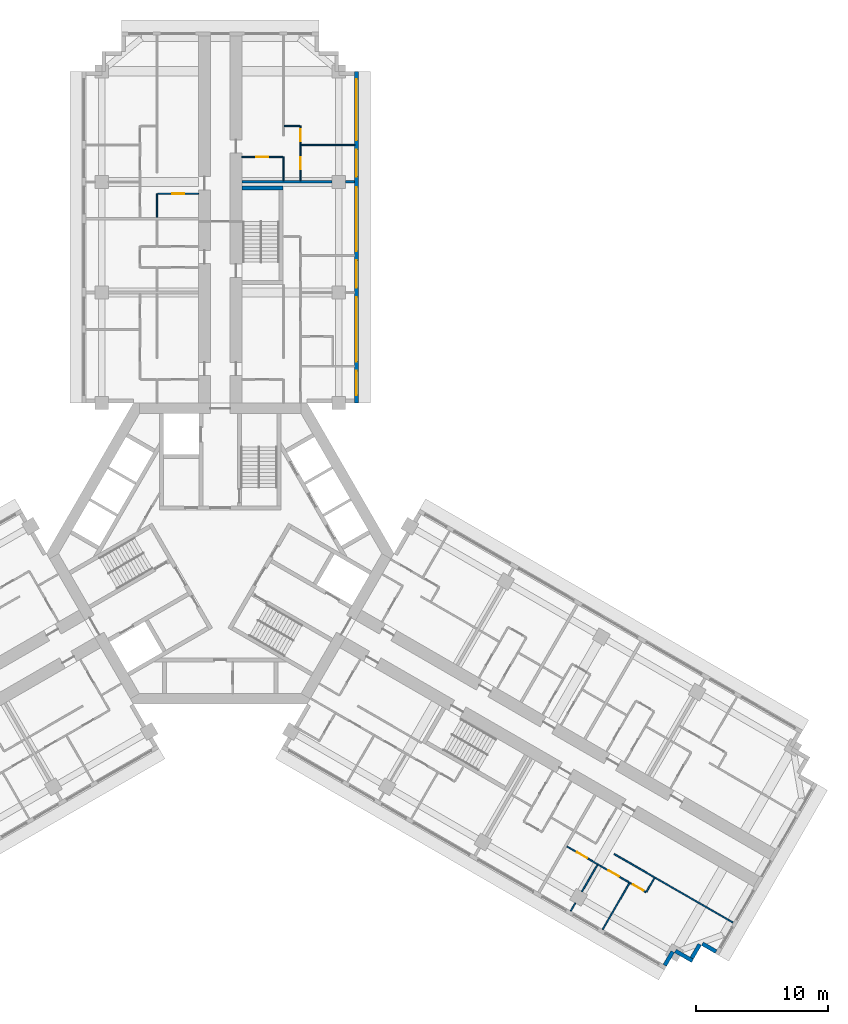
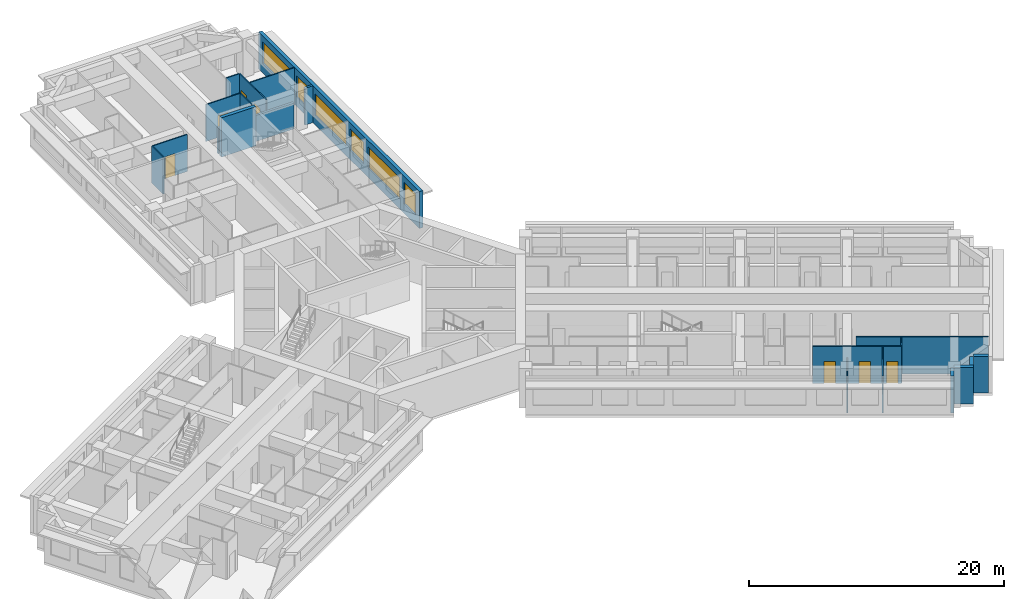
# One storey, part 10 of 14: 21 walls, 7 doors, 6 windows, 13 openings.
"""IFC4 building model written with IfcOpenShell, lengths in metres."""

from ifc_helpers import new_model, si_unit, direction, frame, frame_2d, origin, place, context, subcontext, project, spatial, rectangle, extrude, material, layer, layer_set, type_object, element, fill, save


model = new_model("IFC4")

# Units and contexts
model_context = context("Model", 3, precision=1e-05, world=origin(), true_north=direction((0.0, 1.0)))
body_context = subcontext(model_context, "Body", "Model", "MODEL_VIEW")
ifc_project = project(units=[si_unit("LENGTHUNIT", "METRE"), si_unit("AREAUNIT", "SQUARE_METRE"), si_unit("VOLUMEUNIT", "CUBIC_METRE"), si_unit("PLANEANGLEUNIT", "RADIAN"), si_unit("MASSUNIT", "GRAM", prefix="KILO")], contexts=[model_context])

# Site, building, storey
site_placement = place(None, origin())
site = spatial("IfcSite", under=ifc_project, at=site_placement, CompositionType="ELEMENT")
building_placement = place(site_placement, origin())
building = spatial("IfcBuilding", under=site, at=building_placement, Name="Impinga Residences", CompositionType="ELEMENT")
storey_placement = place(building_placement, frame((0.0, 0.0, 143.5)))
storey = spatial("IfcBuildingStorey", under=building, at=storey_placement, Name="L35", CompositionType="ELEMENT", Elevation=143.5)

# Walls
ifc_material_1 = material(Name="Terracotta rainscreen on blockwork", Category="masonry")
ifc_layer_1 = layer(ifc_material_1, 0.300048828125)
ifc_layer_set_1 = layer_set([ifc_layer_1], Name="EW1 external wall, terracotta rainscreen on blockwork 300")
wall_type_1 = type_object("IfcWallType", Name="EW1 external wall, terracotta rainscreen on blockwork 300", PredefinedType="SOLIDWALL", material=ifc_layer_set_1)
wall_1_placement = place(storey_placement, frame((37.66162109375, -30.23095703125, 0.0), z_axis=(0.0, 0.0, 1.0), x_axis=(-0.866059708757, 0.499940577336, 0.0)))
element("IfcWall", 1, at=wall_1_placement, inside=storey, type_object=wall_type_1, Name="External wall EW1 L35", PredefinedType="SOLIDWALL", context=body_context, shape_type="SweptSolid", body=[
    extrude(rectangle(XDim=1.195068359375, YDim=0.300048828125, at=frame_2d((0.59765625, 0.0))), origin(), (0.0, 0.0, 1.0), 3.530029296875),
])
wall_2_placement = place(storey_placement, frame((36.41748046875, -29.68603515625, 0.0), z_axis=(0.0, 0.0, 1.0), x_axis=(-0.499969057507, -0.866043267704, 0.0)))
element("IfcWall", 2, at=wall_2_placement, inside=storey, type_object=wall_type_1, Name="External wall EW1 L35", PredefinedType="SOLIDWALL", context=body_context, shape_type="SweptSolid", body=[
    extrude(rectangle(XDim=1.19970703125, YDim=0.300048828125, at=frame_2d((0.599853515625, 0.0))), origin(), (0.0, 0.0, 1.0), 3.530029296875),
])
wall_3_placement = place(storey_placement, frame((35.87255859375, -30.93017578125, 0.0), z_axis=(0.0, 0.0, 1.0), x_axis=(-0.866031096941, 0.499990139034, 0.0)))
element("IfcWall", 3, at=wall_3_placement, inside=storey, type_object=wall_type_1, Name="External wall EW1 L35", PredefinedType="SOLIDWALL", context=body_context, shape_type="SweptSolid", body=[
    extrude(rectangle(XDim=1.5, YDim=0.300048828125, at=frame_2d((0.75, 0.0))), origin(), (0.0, 0.0, 1.0), 3.530029296875),
])
wall_4_placement = place(storey_placement, frame((34.365966796875, -30.2392578125, 0.0), z_axis=(0.0, 0.0, 1.0), x_axis=(-0.499940577336, -0.866059708757, 0.0)))
element("IfcWall", 4, at=wall_4_placement, inside=storey, type_object=wall_type_1, Name="External wall EW1 L35", PredefinedType="SOLIDWALL", context=body_context, shape_type="SweptSolid", body=[
    extrude(rectangle(XDim=1.195068359375, YDim=0.300048828125, at=frame_2d((0.59765625, 0.0))), origin(), (0.0, 0.0, 1.0), 3.530029296875),
])

# Wall, openings, windows
wall_5_placement = place(storey_placement, frame((10.35009765625, 36.631591796875, 0.0), z_axis=(0.0, 0.0, 1.0), x_axis=(0.0, -1.0, 0.0)))
wall_5 = element("IfcWall", 5, at=wall_5_placement, inside=storey, type_object=wall_type_1, Name="External wall EW1 L35", PredefinedType="SOLIDWALL", context=body_context, shape_type="SweptSolid", body=[
    extrude(rectangle(XDim=25.199951171875, YDim=0.300048828125, at=frame_2d((12.60009765625, 0.0))), origin(), (0.0, 0.0, 1.0), 3.530029296875),
])
opening_1_placement = place(wall_5_placement, frame((0.60009765625, 0.0, 0.89990234375)))
opening_1 = element("IfcOpeningElement", 6, at=opening_1_placement, cuts=wall_5, Name="Opening W10", PredefinedType="OPENING", context=body_context, shape_type="SweptSolid", body=[
    extrude(rectangle(XDim=4.64990234375, YDim=2.050048828125, at=frame_2d((2.324951171875, 1.02490234375))), frame((0.0, 0.159912109375, 0.0), z_axis=(0.0, -1.0, 0.0), x_axis=(1.0, 0.0, 0.0)), (0.0, 0.0, 1.0), 0.320068359375),
])
opening_2_placement = place(wall_5_placement, frame((5.949951171875, 0.0, 0.89990234375)))
opening_2 = element("IfcOpeningElement", 7, at=opening_2_placement, cuts=wall_5, Name="Opening W14", PredefinedType="OPENING", context=body_context, shape_type="SweptSolid", body=[
    extrude(rectangle(XDim=2.050048828125, YDim=2.050048828125, at=frame_2d((1.02490234375, 1.02490234375))), frame((0.0, 0.159912109375, 0.0), z_axis=(0.0, -1.0, 0.0), x_axis=(1.0, 0.0, 0.0)), (0.0, 0.0, 1.0), 0.320068359375),
])
opening_3_placement = place(wall_5_placement, frame((8.800048828125, 0.0, 0.89990234375)))
opening_3 = element("IfcOpeningElement", 8, at=opening_3_placement, cuts=wall_5, Name="Opening W6", PredefinedType="OPENING", context=body_context, shape_type="SweptSolid", body=[
    extrude(rectangle(XDim=4.85009765625, YDim=2.050048828125, at=frame_2d((2.425048828125, 1.02490234375))), frame((0.0, 0.159912109375, 0.0), z_axis=(0.0, -1.0, 0.0), x_axis=(1.0, 0.0, 0.0)), (0.0, 0.0, 1.0), 0.320068359375),
])
opening_4_placement = place(wall_5_placement, frame((14.35009765625, 0.0, 0.89990234375)))
opening_4 = element("IfcOpeningElement", 9, at=opening_4_placement, cuts=wall_5, Name="Opening W9", PredefinedType="OPENING", context=body_context, shape_type="SweptSolid", body=[
    extrude(rectangle(XDim=2.10009765625, YDim=2.050048828125, at=frame_2d((1.050048828125, 1.02490234375))), frame((0.0, 0.159912109375, 0.0), z_axis=(0.0, -1.0, 0.0), x_axis=(1.0, 0.0, 0.0)), (0.0, 0.0, 1.0), 0.320068359375),
])
opening_5_placement = place(wall_5_placement, frame((17.14990234375, 0.0, 0.89990234375)))
opening_5 = element("IfcOpeningElement", 10, at=opening_5_placement, cuts=wall_5, Name="Opening W16", PredefinedType="OPENING", context=body_context, shape_type="SweptSolid", body=[
    extrude(rectangle(XDim=4.89990234375, YDim=2.050048828125, at=frame_2d((2.449951171875, 1.02490234375))), frame((0.0, 0.159912109375, 0.0), z_axis=(0.0, -1.0, 0.0), x_axis=(1.0, 0.0, 0.0)), (0.0, 0.0, 1.0), 0.320068359375),
])
opening_6_placement = place(wall_5_placement, frame((22.75, 0.0, 0.89990234375)))
opening_6 = element("IfcOpeningElement", 11, at=opening_6_placement, cuts=wall_5, Name="Opening W15", PredefinedType="OPENING", context=body_context, shape_type="SweptSolid", body=[
    extrude(rectangle(XDim=1.85009765625, YDim=2.050048828125, at=frame_2d((0.925048828125, 1.02490234375))), frame((0.0, 0.159912109375, 0.0), z_axis=(0.0, -1.0, 0.0), x_axis=(1.0, 0.0, 0.0)), (0.0, 0.0, 1.0), 0.320068359375),
])
ifc_material_2 = material(Name="Aluminium window, clear double glazing", Category="aluminium")
window_type_1 = type_object("IfcWindowType", Name="W10 ribbon window 4650x2050", PartitioningType="SINGLE_PANEL", PredefinedType="WINDOW", material=ifc_material_2)
window_1_placement = place(opening_1_placement, origin())
window_1 = element("IfcWindow", 12, at=window_1_placement, inside=storey, type_object=window_type_1, Name="Window L35", OverallHeight=2.050048828125, OverallWidth=4.64990234375, PartitioningType="SINGLE_PANEL", PredefinedType="WINDOW", context=body_context, shape_type="SweptSolid", body=[
    extrude(rectangle(XDim=4.64990234375, YDim=2.050048828125, at=frame_2d((2.324951171875, 1.02490234375))), frame((0.0, 0.030029296875, 0.0), z_axis=(0.0, -1.0, 0.0), x_axis=(1.0, 0.0, 0.0)), (0.0, 0.0, 1.0), 0.06005859375),
])
fill(opening_1, window_1)
window_type_2 = type_object("IfcWindowType", Name="W14 ribbon window 2050x2050", PartitioningType="SINGLE_PANEL", PredefinedType="WINDOW", material=ifc_material_2)
window_2_placement = place(opening_2_placement, origin())
window_2 = element("IfcWindow", 13, at=window_2_placement, inside=storey, type_object=window_type_2, Name="Window L35", OverallHeight=2.050048828125, OverallWidth=2.050048828125, PartitioningType="SINGLE_PANEL", PredefinedType="WINDOW", context=body_context, shape_type="SweptSolid", body=[
    extrude(rectangle(XDim=2.050048828125, YDim=2.050048828125, at=frame_2d((1.02490234375, 1.02490234375))), frame((0.0, 0.030029296875, 0.0), z_axis=(0.0, -1.0, 0.0), x_axis=(1.0, 0.0, 0.0)), (0.0, 0.0, 1.0), 0.06005859375),
])
fill(opening_2, window_2)
window_type_3 = type_object("IfcWindowType", Name="W15 ribbon window 1850x2050", PartitioningType="SINGLE_PANEL", PredefinedType="WINDOW", material=ifc_material_2)
window_3_placement = place(opening_6_placement, origin())
window_3 = element("IfcWindow", 14, at=window_3_placement, inside=storey, type_object=window_type_3, Name="Window L35", OverallHeight=2.050048828125, OverallWidth=1.85009765625, PartitioningType="SINGLE_PANEL", PredefinedType="WINDOW", context=body_context, shape_type="SweptSolid", body=[
    extrude(rectangle(XDim=1.85009765625, YDim=2.050048828125, at=frame_2d((0.925048828125, 1.02490234375))), frame((0.0, 0.030029296875, 0.0), z_axis=(0.0, -1.0, 0.0), x_axis=(1.0, 0.0, 0.0)), (0.0, 0.0, 1.0), 0.06005859375),
])
fill(opening_6, window_3)
window_type_4 = type_object("IfcWindowType", Name="W16 ribbon window 4900x2050", PartitioningType="SINGLE_PANEL", PredefinedType="WINDOW", material=ifc_material_2)
window_4_placement = place(opening_5_placement, origin())
window_4 = element("IfcWindow", 15, at=window_4_placement, inside=storey, type_object=window_type_4, Name="Window L35", OverallHeight=2.050048828125, OverallWidth=4.89990234375, PartitioningType="SINGLE_PANEL", PredefinedType="WINDOW", context=body_context, shape_type="SweptSolid", body=[
    extrude(rectangle(XDim=4.89990234375, YDim=2.050048828125, at=frame_2d((2.449951171875, 1.02490234375))), frame((0.0, 0.030029296875, 0.0), z_axis=(0.0, -1.0, 0.0), x_axis=(1.0, 0.0, 0.0)), (0.0, 0.0, 1.0), 0.06005859375),
])
fill(opening_5, window_4)
window_type_5 = type_object("IfcWindowType", Name="W6 ribbon window 4850x2050", PartitioningType="SINGLE_PANEL", PredefinedType="WINDOW", material=ifc_material_2)
window_5_placement = place(opening_3_placement, origin())
window_5 = element("IfcWindow", 16, at=window_5_placement, inside=storey, type_object=window_type_5, Name="Window L35", OverallHeight=2.050048828125, OverallWidth=4.85009765625, PartitioningType="SINGLE_PANEL", PredefinedType="WINDOW", context=body_context, shape_type="SweptSolid", body=[
    extrude(rectangle(XDim=4.85009765625, YDim=2.050048828125, at=frame_2d((2.425048828125, 1.02490234375))), frame((0.0, 0.030029296875, 0.0), z_axis=(0.0, -1.0, 0.0), x_axis=(1.0, 0.0, 0.0)), (0.0, 0.0, 1.0), 0.06005859375),
])
fill(opening_3, window_5)
window_type_6 = type_object("IfcWindowType", Name="W9 ribbon window 2100x2050", PartitioningType="SINGLE_PANEL", PredefinedType="WINDOW", material=ifc_material_2)
window_6_placement = place(opening_4_placement, origin())
window_6 = element("IfcWindow", 17, at=window_6_placement, inside=storey, type_object=window_type_6, Name="Window L35", OverallHeight=2.050048828125, OverallWidth=2.10009765625, PartitioningType="SINGLE_PANEL", PredefinedType="WINDOW", context=body_context, shape_type="SweptSolid", body=[
    extrude(rectangle(XDim=2.10009765625, YDim=2.050048828125, at=frame_2d((1.050048828125, 1.02490234375))), frame((0.0, 0.030029296875, 0.0), z_axis=(0.0, -1.0, 0.0), x_axis=(1.0, 0.0, 0.0)), (0.0, 0.0, 1.0), 0.06005859375),
])
fill(opening_4, window_6)

# Wall
ifc_material_3 = material(Name="Gypsum board on steel studs", Category="steel")
ifc_layer_2 = layer(ifc_material_3, 0.10009765625)
ifc_layer_set_2 = layer_set([ifc_layer_2], Name="Gypsum board on steel studs")
wall_type_2 = type_object("IfcWallType", Name="IP1 partition 100", PredefinedType="PARTITIONING", material=ifc_layer_set_2)
wall_6_placement = place(storey_placement, frame((-4.800048828125, 25.531494140625, 0.0), z_axis=(0.0, 0.0, 1.0), x_axis=(0.0, 1.0, 0.0)))
element("IfcWall", 18, at=wall_6_placement, inside=storey, type_object=wall_type_2, Name="Partition L35-NA3:DIV0", PredefinedType="PARTITIONING", context=body_context, shape_type="SweptSolid", body=[
    extrude(rectangle(XDim=1.800048828125, YDim=0.10009765625, at=frame_2d((0.89990234375, 0.0))), origin(), (0.0, 0.0, 1.0), 3.530029296875),
])

# Wall, opening, door
wall_7_placement = place(storey_placement, frame((-1.64990234375, 27.33154296875, 0.0), z_axis=(0.0, 0.0, 1.0), x_axis=(-1.0, 0.0, 0.0)))
wall_7 = element("IfcWall", 19, at=wall_7_placement, inside=storey, type_object=wall_type_2, Name="Partition L35-NA3:IB1", PredefinedType="PARTITIONING", context=body_context, shape_type="SweptSolid", body=[
    extrude(rectangle(XDim=3.10009765625, YDim=0.10009765625, at=frame_2d((1.550048828125, 0.0))), origin(), (0.0, 0.0, 1.0), 3.530029296875),
])
opening_7_placement = place(wall_7_placement, frame((1.10009765625, 0.0, 0.0)))
opening_7 = element("IfcOpeningElement", 20, at=opening_7_placement, cuts=wall_7, Name="Opening D2", PredefinedType="OPENING", context=body_context, shape_type="SweptSolid", body=[
    extrude(rectangle(XDim=0.89990234375, YDim=2.10009765625, at=frame_2d((0.449951171875, 1.050048828125))), frame((0.0, 0.06005859375, 0.0), z_axis=(0.0, -1.0, 0.0), x_axis=(1.0, 0.0, 0.0)), (0.0, 0.0, 1.0), 0.1201171875),
])
ifc_material_4 = material(Name="Timber door set", Category="wood")
door_type = type_object("IfcDoorType", Name="D2 internal door 900x2100", OperationType="SINGLE_SWING_LEFT", PredefinedType="DOOR", material=ifc_material_4)
door_1_placement = place(opening_7_placement, origin())
door_1 = element("IfcDoor", 21, at=door_1_placement, inside=storey, type_object=door_type, Name="Apartment L35-NA3 bathroom door", OperationType="SINGLE_SWING_LEFT", OverallHeight=2.10009765625, OverallWidth=0.89990234375, PredefinedType="DOOR", context=body_context, shape_type="SweptSolid", body=[
    extrude(rectangle(XDim=0.89990234375, YDim=2.10009765625, at=frame_2d((0.449951171875, 1.050048828125))), frame((0.0, 0.02490234375, 0.0), z_axis=(0.0, -1.0, 0.0), x_axis=(1.0, 0.0, 0.0)), (0.0, 0.0, 1.0), 0.050048828125),
])
fill(opening_7, door_1)

# Wall
wall_8_placement = place(storey_placement, frame((4.800048828125, 28.33154296875, 0.0), z_axis=(0.0, 0.0, 1.0), x_axis=(0.0, 1.0, 0.0)))
element("IfcWall", 22, at=wall_8_placement, inside=storey, type_object=wall_type_2, Name="Partition L35-NF2:DIV0", PredefinedType="PARTITIONING", context=body_context, shape_type="SweptSolid", body=[
    extrude(rectangle(XDim=1.800048828125, YDim=0.10009765625, at=frame_2d((0.89990234375, 0.0))), origin(), (0.0, 0.0, 1.0), 3.530029296875),
])

# Wall, openings, doors
wall_9_placement = place(storey_placement, frame((6.10009765625, 28.33154296875, 0.0), z_axis=(0.0, 0.0, 1.0), x_axis=(0.0, 1.0, 0.0)))
wall_9 = element("IfcWall", 23, at=wall_9_placement, inside=storey, type_object=wall_type_2, Name="Partition L35-NF2:STRIP", PredefinedType="PARTITIONING", context=body_context, shape_type="SweptSolid", body=[
    extrude(rectangle(XDim=4.14990234375, YDim=0.10009765625, at=frame_2d((2.074951171875, 0.0))), origin(), (0.0, 0.0, 1.0), 3.530029296875),
])
opening_8_placement = place(wall_9_placement, frame((0.875, 0.0, 0.0)))
opening_8 = element("IfcOpeningElement", 24, at=opening_8_placement, cuts=wall_9, Name="Opening D2", PredefinedType="OPENING", context=body_context, shape_type="SweptSolid", body=[
    extrude(rectangle(XDim=0.89990234375, YDim=2.10009765625, at=frame_2d((0.449951171875, 1.050048828125))), frame((0.0, 0.06005859375, 0.0), z_axis=(0.0, -1.0, 0.0), x_axis=(1.0, 0.0, 0.0)), (0.0, 0.0, 1.0), 0.1201171875),
])
opening_9_placement = place(wall_9_placement, frame((3.0, 0.0, 0.0)))
opening_9 = element("IfcOpeningElement", 25, at=opening_9_placement, cuts=wall_9, Name="Opening D2", PredefinedType="OPENING", context=body_context, shape_type="SweptSolid", body=[
    extrude(rectangle(XDim=0.89990234375, YDim=2.10009765625, at=frame_2d((0.449951171875, 1.050048828125))), frame((0.0, 0.06005859375, 0.0), z_axis=(0.0, -1.0, 0.0), x_axis=(1.0, 0.0, 0.0)), (0.0, 0.0, 1.0), 0.1201171875),
])
door_2_placement = place(opening_8_placement, origin())
door_2 = element("IfcDoor", 26, at=door_2_placement, inside=storey, type_object=door_type, Name="Apartment L35-NF2 room door", OperationType="SINGLE_SWING_LEFT", OverallHeight=2.10009765625, OverallWidth=0.89990234375, PredefinedType="DOOR", context=body_context, shape_type="SweptSolid", body=[
    extrude(rectangle(XDim=0.89990234375, YDim=2.10009765625, at=frame_2d((0.449951171875, 1.050048828125))), frame((0.0, 0.02490234375, 0.0), z_axis=(0.0, -1.0, 0.0), x_axis=(1.0, 0.0, 0.0)), (0.0, 0.0, 1.0), 0.050048828125),
])
fill(opening_8, door_2)
door_3_placement = place(opening_9_placement, origin())
door_3 = element("IfcDoor", 27, at=door_3_placement, inside=storey, type_object=door_type, Name="Apartment L35-NF2 room door", OperationType="SINGLE_SWING_RIGHT", OverallHeight=2.10009765625, OverallWidth=0.89990234375, PredefinedType="DOOR", context=body_context, shape_type="SweptSolid", body=[
    extrude(rectangle(XDim=0.89990234375, YDim=2.10009765625, at=frame_2d((0.449951171875, 1.050048828125))), frame((0.0, 0.02490234375, 0.0), z_axis=(0.0, -1.0, 0.0), x_axis=(1.0, 0.0, 0.0)), (0.0, 0.0, 1.0), 0.050048828125),
])
fill(opening_9, door_3)

# Wall
wall_10_placement = place(storey_placement, frame((4.85009765625, 32.4814453125, 0.0), z_axis=(0.0, 0.0, 1.0), x_axis=(1.0, 0.0, 0.0)))
element("IfcWall", 28, at=wall_10_placement, inside=storey, type_object=wall_type_2, Name="Partition L35-NF2:SE1", PredefinedType="PARTITIONING", context=body_context, shape_type="SweptSolid", body=[
    extrude(rectangle(XDim=1.199951171875, YDim=0.10009765625, at=frame_2d((0.60009765625, 0.0))), origin(), (0.0, 0.0, 1.0), 3.530029296875),
])

# Wall, opening, door
wall_11_placement = place(storey_placement, frame((1.64990234375, 30.131591796875, 0.0), z_axis=(0.0, 0.0, 1.0), x_axis=(1.0, 0.0, 0.0)))
wall_11 = element("IfcWall", 29, at=wall_11_placement, inside=storey, type_object=wall_type_2, Name="Partition L35-NF2:IB1", PredefinedType="PARTITIONING", context=body_context, shape_type="SweptSolid", body=[
    extrude(rectangle(XDim=3.10009765625, YDim=0.10009765625, at=frame_2d((1.550048828125, 0.0))), origin(), (0.0, 0.0, 1.0), 3.530029296875),
])
opening_10_placement = place(wall_11_placement, frame((1.10009765625, 0.0, 0.0)))
opening_10 = element("IfcOpeningElement", 30, at=opening_10_placement, cuts=wall_11, Name="Opening D2", PredefinedType="OPENING", context=body_context, shape_type="SweptSolid", body=[
    extrude(rectangle(XDim=0.89990234375, YDim=2.10009765625, at=frame_2d((0.449951171875, 1.050048828125))), frame((0.0, 0.06005859375, 0.0), z_axis=(0.0, -1.0, 0.0), x_axis=(1.0, 0.0, 0.0)), (0.0, 0.0, 1.0), 0.1201171875),
])
door_4_placement = place(opening_10_placement, origin())
door_4 = element("IfcDoor", 31, at=door_4_placement, inside=storey, type_object=door_type, Name="Apartment L35-NF2 bathroom door", OperationType="SINGLE_SWING_LEFT", OverallHeight=2.10009765625, OverallWidth=0.89990234375, PredefinedType="DOOR", context=body_context, shape_type="SweptSolid", body=[
    extrude(rectangle(XDim=0.89990234375, YDim=2.10009765625, at=frame_2d((0.449951171875, 1.050048828125))), frame((0.0, 0.02490234375, 0.0), z_axis=(0.0, -1.0, 0.0), x_axis=(1.0, 0.0, 0.0)), (0.0, 0.0, 1.0), 0.050048828125),
])
fill(opening_10, door_4)

# Walls
wall_12_placement = place(storey_placement, frame((6.14990234375, 31.031494140625, 0.0), z_axis=(0.0, 0.0, 1.0), x_axis=(1.0, 0.0, 0.0)))
element("IfcWall", 32, at=wall_12_placement, inside=storey, type_object=wall_type_2, Name="Partition L35-NF2:OB1", PredefinedType="PARTITIONING", context=body_context, shape_type="SweptSolid", body=[
    extrude(rectangle(XDim=4.050048828125, YDim=0.10009765625, at=frame_2d((2.02490234375, 0.0))), origin(), (0.0, 0.0, 1.0), 3.530029296875),
])
wall_13_placement = place(storey_placement, frame((29.93017578125, -22.82275390625, 0.0), z_axis=(0.0, 0.0, 1.0), x_axis=(0.866025696342, -0.499999493275, 0.0)))
element("IfcWall", 33, at=wall_13_placement, inside=storey, type_object=wall_type_2, Name="Partition L35-EF3:DIV1", PredefinedType="PARTITIONING", context=body_context, shape_type="SweptSolid", body=[
    extrude(rectangle(XDim=10.39990234375, YDim=0.10009765625, at=frame_2d((5.199951171875, 0.0))), origin(), (0.0, 0.0, 1.0), 3.530029296875),
])

# Wall, openings, doors
wall_14_placement = place(storey_placement, frame((26.335693359375, -22.24853515625, 0.0), z_axis=(0.0, 0.0, 1.0), x_axis=(0.866016523273, -0.500015381182, 0.0)))
wall_14 = element("IfcWall", 34, at=wall_14_placement, inside=storey, type_object=wall_type_2, Name="Partition L35-EF3:STRIP", PredefinedType="PARTITIONING", context=body_context, shape_type="SweptSolid", body=[
    extrude(rectangle(XDim=6.949951171875, YDim=0.10009765625, at=frame_2d((3.47509765625, 0.0))), origin(), (0.0, 0.0, 1.0), 3.530029296875),
])
opening_11_placement = place(wall_14_placement, frame((0.875, 0.0, 0.0)))
opening_11 = element("IfcOpeningElement", 35, at=opening_11_placement, cuts=wall_14, Name="Opening D2", PredefinedType="OPENING", context=body_context, shape_type="SweptSolid", body=[
    extrude(rectangle(XDim=0.89990234375, YDim=2.10009765625, at=frame_2d((0.449951171875, 1.050048828125))), frame((0.0, 0.06005859375, 0.0), z_axis=(0.0, -1.0, 0.0), x_axis=(1.0, 0.0, 0.0)), (0.0, 0.0, 1.0), 0.1201171875),
])
opening_12_placement = place(wall_14_placement, frame((3.64990234375, 0.0, 0.0)))
opening_12 = element("IfcOpeningElement", 36, at=opening_12_placement, cuts=wall_14, Name="Opening D2", PredefinedType="OPENING", context=body_context, shape_type="SweptSolid", body=[
    extrude(rectangle(XDim=0.89990234375, YDim=2.10009765625, at=frame_2d((0.449951171875, 1.050048828125))), frame((0.0, 0.06005859375, 0.0), z_axis=(0.0, -1.0, 0.0), x_axis=(1.0, 0.0, 0.0)), (0.0, 0.0, 1.0), 0.1201171875),
])
opening_13_placement = place(wall_14_placement, frame((5.800048828125, 0.0, 0.0)))
opening_13 = element("IfcOpeningElement", 37, at=opening_13_placement, cuts=wall_14, Name="Opening D2", PredefinedType="OPENING", context=body_context, shape_type="SweptSolid", body=[
    extrude(rectangle(XDim=0.89990234375, YDim=2.10009765625, at=frame_2d((0.449951171875, 1.050048828125))), frame((0.0, 0.06005859375, 0.0), z_axis=(0.0, -1.0, 0.0), x_axis=(1.0, 0.0, 0.0)), (0.0, 0.0, 1.0), 0.1201171875),
])
door_5_placement = place(opening_11_placement, origin())
door_5 = element("IfcDoor", 38, at=door_5_placement, inside=storey, type_object=door_type, Name="Apartment L35-EF3 room door", OperationType="SINGLE_SWING_LEFT", OverallHeight=2.10009765625, OverallWidth=0.89990234375, PredefinedType="DOOR", context=body_context, shape_type="SweptSolid", body=[
    extrude(rectangle(XDim=0.89990234375, YDim=2.10009765625, at=frame_2d((0.449951171875, 1.050048828125))), frame((0.0, 0.02490234375, 0.0), z_axis=(0.0, -1.0, 0.0), x_axis=(1.0, 0.0, 0.0)), (0.0, 0.0, 1.0), 0.050048828125),
])
fill(opening_11, door_5)
door_6_placement = place(opening_12_placement, origin())
door_6 = element("IfcDoor", 39, at=door_6_placement, inside=storey, type_object=door_type, Name="Apartment L35-EF3 room door", OperationType="SINGLE_SWING_RIGHT", OverallHeight=2.10009765625, OverallWidth=0.89990234375, PredefinedType="DOOR", context=body_context, shape_type="SweptSolid", body=[
    extrude(rectangle(XDim=0.89990234375, YDim=2.10009765625, at=frame_2d((0.449951171875, 1.050048828125))), frame((0.0, 0.02490234375, 0.0), z_axis=(0.0, -1.0, 0.0), x_axis=(1.0, 0.0, 0.0)), (0.0, 0.0, 1.0), 0.050048828125),
])
fill(opening_12, door_6)
door_7_placement = place(opening_13_placement, origin())
door_7 = element("IfcDoor", 40, at=door_7_placement, inside=storey, type_object=door_type, Name="Apartment L35-EF3 room door", OperationType="SINGLE_SWING_RIGHT", OverallHeight=2.10009765625, OverallWidth=0.89990234375, PredefinedType="DOOR", context=body_context, shape_type="SweptSolid", body=[
    extrude(rectangle(XDim=0.89990234375, YDim=2.10009765625, at=frame_2d((0.449951171875, 1.050048828125))), frame((0.0, 0.02490234375, 0.0), z_axis=(0.0, -1.0, 0.0), x_axis=(1.0, 0.0, 0.0)), (0.0, 0.0, 1.0), 0.050048828125),
])
fill(opening_13, door_7)

# Walls
wall_15_placement = place(storey_placement, frame((32.9794921875, -24.640869140625, 0.0), z_axis=(0.0, 0.0, 1.0), x_axis=(-0.500033551112, -0.866006032174, 0.0)))
element("IfcWall", 41, at=wall_15_placement, inside=storey, type_object=wall_type_2, Name="Partition L35-EF3:SE1", PredefinedType="PARTITIONING", context=body_context, shape_type="SweptSolid", body=[
    extrude(rectangle(XDim=1.2001953125, YDim=0.10009765625, at=frame_2d((0.60009765625, 0.0))), origin(), (0.0, 0.0, 1.0), 3.530029296875),
])
wall_16_placement = place(storey_placement, frame((28.64892578125, -23.641845703125, 0.0), z_axis=(0.0, 0.0, 1.0), x_axis=(-0.500016218704, -0.866016039709, 0.0)))
element("IfcWall", 42, at=wall_16_placement, inside=storey, type_object=wall_type_2, Name="Partition L35-EF3:OB1", PredefinedType="PARTITIONING", context=body_context, shape_type="SweptSolid", body=[
    extrude(rectangle(XDim=2.35009765625, YDim=0.10009765625, at=frame_2d((1.175048828125, 0.0))), origin(), (0.0, 0.0, 1.0), 2.47998046875),
])
wall_17_placement = place(storey_placement, frame((26.973876953125, -26.54296875, 0.0), z_axis=(0.0, 0.0, 1.0), x_axis=(-0.500114896893, -0.865959057869, 0.0)))
element("IfcWall", 43, at=wall_17_placement, inside=storey, type_object=wall_type_2, Name="Partition L35-EF3:OB1b", PredefinedType="PARTITIONING", context=body_context, shape_type="SweptSolid", body=[
    extrude(rectangle(XDim=0.699951171875, YDim=0.10009765625, at=frame_2d((0.35009765625, 0.0))), origin(), (0.0, 0.0, 1.0), 3.530029296875),
])
wall_18_placement = place(storey_placement, frame((31.07373046875, -25.041748046875, 0.0), z_axis=(0.0, 0.0, 1.0), x_axis=(-0.499964223975, -0.866046058097, 0.0)))
element("IfcWall", 44, at=wall_18_placement, inside=storey, type_object=wall_type_2, Name="Partition L35-EF3:OB2", PredefinedType="PARTITIONING", context=body_context, shape_type="SweptSolid", body=[
    extrude(rectangle(XDim=4.050048828125, YDim=0.10009765625, at=frame_2d((2.02490234375, 0.0))), origin(), (0.0, 0.0, 1.0), 3.530029296875),
])
ifc_material_5 = material(Name="Concrete blockwork", Category="masonry")
ifc_layer_3 = layer(ifc_material_5, 0.199951171875)
ifc_layer_set_3 = layer_set([ifc_layer_3], Name="PW1 party wall between apartments 200")
wall_type_3 = type_object("IfcWallType", Name="PW1 party wall between apartments 200", PredefinedType="SOLIDWALL", material=ifc_layer_set_3)
wall_19_placement = place(storey_placement, frame((1.64990234375, 28.2314453125, 0.0), z_axis=(0.0, 0.0, 1.0), x_axis=(1.0, 0.0, 0.0)))
element("IfcWall", 45, at=wall_19_placement, inside=storey, type_object=wall_type_3, Name="Party wall between apartments L35-NF1:PARTY", PredefinedType="SOLIDWALL", context=body_context, shape_type="SweptSolid", body=[
    extrude(rectangle(XDim=6.85009765625, YDim=0.199951171875, at=frame_2d((3.425048828125, 0.0))), origin(), (0.0, 0.0, 1.0), 2.47998046875),
])
wall_20_placement = place(storey_placement, frame((9.5, 28.2314453125, 0.0), z_axis=(0.0, 0.0, 1.0), x_axis=(1.0, 0.0, 0.0)))
element("IfcWall", 46, at=wall_20_placement, inside=storey, type_object=wall_type_3, Name="Party wall between apartments L35-NF1:PARTYb", PredefinedType="SOLIDWALL", context=body_context, shape_type="SweptSolid", body=[
    extrude(rectangle(XDim=0.699951171875, YDim=0.199951171875, at=frame_2d((0.35009765625, 0.0))), origin(), (0.0, 0.0, 1.0), 3.530029296875),
])
ifc_material_6 = material(Name="Concrete C60/75", Category="concrete")
ifc_layer_4 = layer(ifc_material_6, 0.300048828125)
ifc_layer_set_4 = layer_set([ifc_layer_4], Name="Concrete C60/75")
wall_type_4 = type_object("IfcWallType", Name="SE1 wing stair enclosure wall 300", PredefinedType="SOLIDWALL", material=ifc_layer_set_4)
wall_21_placement = place(storey_placement, frame((1.64990234375, 27.781494140625, 0.0), z_axis=(0.0, 0.0, 1.0), x_axis=(1.0, 0.0, 0.0)))
element("IfcWall", 47, at=wall_21_placement, inside=storey, type_object=wall_type_4, Name="Stair enclosure wall SE1 N END1 L35", PredefinedType="SOLIDWALL", context=body_context, shape_type="SweptSolid", body=[
    extrude(rectangle(XDim=3.10009765625, YDim=0.300048828125, at=frame_2d((1.550048828125, 0.0))), origin(), (0.0, 0.0, 1.0), 3.75),
])

save(model, "model.ifc")
